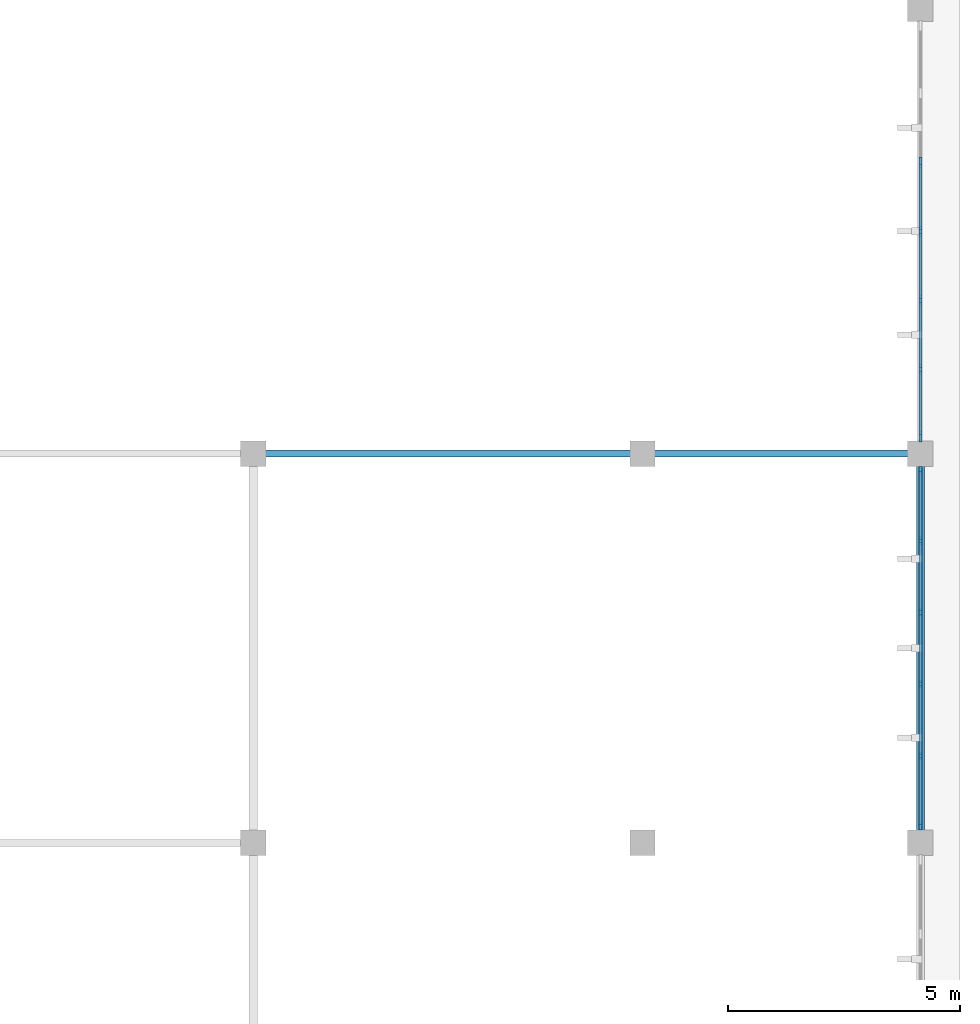
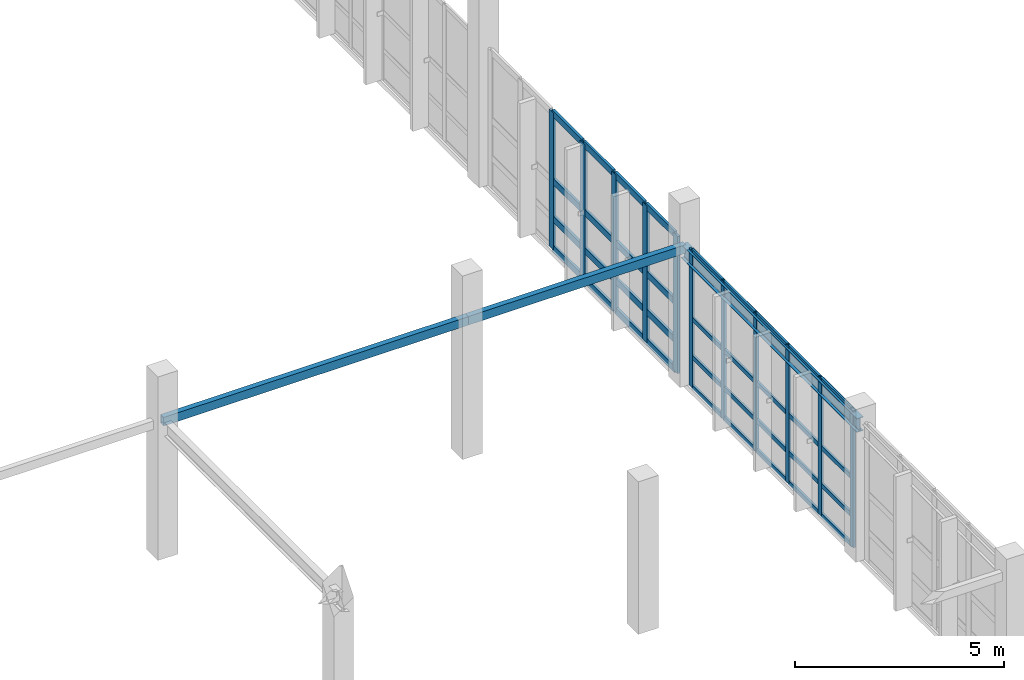
# One storey, part 29 of 67: 47 members, 3 beams, 2 elements without a shape of their own.
"""IFC4 building model written with IfcOpenShell, lengths in metres."""

from ifc_helpers import new_model, si_unit, direction, frame, origin, origin_2d, place, context, subcontext, project, spatial, rectangle, hollow_rectangle, i_section, extrude, material, material_profile, profile_set, type_object, element, aggregate, save


model = new_model("IFC4")

# Units and contexts
model_context = context("Model", 3, precision=1e-05, world=origin(), true_north=direction((0.0, 1.0)))
body_context = subcontext(model_context, "Body", "Model", "MODEL_VIEW")
ifc_project = project(units=[si_unit("LENGTHUNIT", "METRE"), si_unit("AREAUNIT", "SQUARE_METRE"), si_unit("VOLUMEUNIT", "CUBIC_METRE"), si_unit("PLANEANGLEUNIT", "RADIAN"), si_unit("MASSUNIT", "GRAM", prefix="KILO")], contexts=[model_context])

# Site, building, storey
site_placement = place(None, origin())
site = spatial("IfcSite", under=ifc_project, at=site_placement, CompositionType="ELEMENT")
building_placement = place(site_placement, origin())
building = spatial("IfcBuilding", under=site, at=building_placement, Name="Tizgana Railside Sports Hall", CompositionType="ELEMENT")
storey_placement = place(building_placement, frame((0.0, 0.0, 12.0)))
storey = spatial("IfcBuildingStorey", under=building, at=storey_placement, Name="L02", CompositionType="ELEMENT", Elevation=12.0)

# Curtain wall, members
ifc_material_1 = material(Name="Anodised aluminium and glass", Category="aluminium")
curtain_wall_type_1 = type_object("IfcCurtainWallType", Name="Unitised Curtain Wall Passage 1800", PredefinedType="NOTDEFINED", material=ifc_material_1)
curtain_wall_1_placement = place(storey_placement, origin())
curtain_wall_1 = element("IfcCurtainWall", 1, at=curtain_wall_1_placement, inside=storey, type_object=curtain_wall_type_1, Name="L02 Curtain Wall CW-0061", PredefinedType="NOTDEFINED")
ifc_material_2 = material(Name="Anodised aluminium", Category="aluminium")
ifc_material_profile_1 = material_profile(ifc_material_2, rectangle(XDim=0.06005859375, YDim=0.159912109375, at=origin_2d()), Name="Mullion 60x160")
ifc_profile_set_1 = profile_set([ifc_material_profile_1], Name="Anodised aluminium")
member_type_1 = type_object("IfcMemberType", Name="Mullion 60x160", PredefinedType="MULLION", material=ifc_profile_set_1)
member_1_placement = place(storey_placement, frame((172.199951171875, 80.760009765625, 0.0), z_axis=(0.0, 0.0, 1.0), x_axis=(-1.0, 0.0, 0.0)))
member_1 = element("IfcMember", 2, at=member_1_placement, type_object=member_type_1, Name="CW-06 mullion 1", PredefinedType="MULLION", context=body_context, shape_type="SweptSolid", body=[
    extrude(rectangle(XDim=0.06005859375, YDim=0.159912109375, at=origin_2d()), origin(), (0.0, 0.0, 1.0), 4.0),
])
member_2_placement = place(storey_placement, frame((172.199951171875, 82.278076171875, 0.0), z_axis=(0.0, 0.0, 1.0), x_axis=(-1.0, 0.0, 0.0)))
member_2 = element("IfcMember", 3, at=member_2_placement, type_object=member_type_1, Name="CW-06 mullion 2", PredefinedType="MULLION", context=body_context, shape_type="SweptSolid", body=[
    extrude(rectangle(XDim=0.06005859375, YDim=0.159912109375, at=origin_2d()), origin(), (0.0, 0.0, 1.0), 4.0),
])
member_3_placement = place(storey_placement, frame((172.199951171875, 83.825927734375, 0.0), z_axis=(0.0, 0.0, 1.0), x_axis=(-1.0, 0.0, 0.0)))
member_3 = element("IfcMember", 4, at=member_3_placement, type_object=member_type_1, Name="CW-06 mullion 3", PredefinedType="MULLION", context=body_context, shape_type="SweptSolid", body=[
    extrude(rectangle(XDim=0.06005859375, YDim=0.159912109375, at=origin_2d()), origin(), (0.0, 0.0, 1.0), 4.0),
])
member_4_placement = place(storey_placement, frame((172.199951171875, 85.3740234375, 0.0), z_axis=(0.0, 0.0, 1.0), x_axis=(-1.0, 0.0, 0.0)))
member_4 = element("IfcMember", 5, at=member_4_placement, type_object=member_type_1, Name="CW-06 mullion 4", PredefinedType="MULLION", context=body_context, shape_type="SweptSolid", body=[
    extrude(rectangle(XDim=0.06005859375, YDim=0.159912109375, at=origin_2d()), origin(), (0.0, 0.0, 1.0), 4.0),
])
member_5_placement = place(storey_placement, frame((172.199951171875, 86.922119140625, 0.0), z_axis=(0.0, 0.0, 1.0), x_axis=(-1.0, 0.0, 0.0)))
member_5 = element("IfcMember", 6, at=member_5_placement, type_object=member_type_1, Name="CW-06 mullion 5", PredefinedType="MULLION", context=body_context, shape_type="SweptSolid", body=[
    extrude(rectangle(XDim=0.06005859375, YDim=0.159912109375, at=origin_2d()), origin(), (0.0, 0.0, 1.0), 4.0),
])
member_6_placement = place(storey_placement, frame((172.199951171875, 88.43994140625, 0.0), z_axis=(0.0, 0.0, 1.0), x_axis=(-1.0, 0.0, 0.0)))
member_6 = element("IfcMember", 7, at=member_6_placement, type_object=member_type_1, Name="CW-06 mullion 6", PredefinedType="MULLION", context=body_context, shape_type="SweptSolid", body=[
    extrude(rectangle(XDim=0.06005859375, YDim=0.159912109375, at=origin_2d()), origin(), (0.0, 0.0, 1.0), 4.0),
])

curtain_wall_type_2 = type_object("IfcCurtainWallType", Name="Unitised Curtain Wall Concourse 1500", PredefinedType="NOTDEFINED", material=ifc_material_1)
curtain_wall_2_placement = place(storey_placement, origin())
curtain_wall_2 = element("IfcCurtainWall", 8, at=curtain_wall_2_placement, inside=storey, type_object=curtain_wall_type_2, Name="L02 Curtain Wall CW-0064", PredefinedType="NOTDEFINED")
ifc_material_profile_2 = material_profile(ifc_material_2, rectangle(XDim=0.070068359375, YDim=0.219970703125, at=origin_2d()), Name="Mullion 70x220")
ifc_profile_set_2 = profile_set([ifc_material_profile_2], Name="Anodised aluminium")
member_type_2 = type_object("IfcMemberType", Name="Mullion 70x220", PredefinedType="MULLION", material=ifc_profile_set_2)
member_7_placement = place(storey_placement, frame((172.199951171875, 89.1650390625, 0.0), z_axis=(0.0, 0.0, 1.0), x_axis=(-1.0, 0.0, 0.0)))
member_7 = element("IfcMember", 9, at=member_7_placement, type_object=member_type_2, Name="CW-01 mullion 1", PredefinedType="MULLION", context=body_context, shape_type="SweptSolid", body=[
    extrude(rectangle(XDim=0.070068359375, YDim=0.219970703125, at=origin_2d()), origin(), (0.0, 0.0, 1.0), 4.0),
])
member_8_placement = place(storey_placement, frame((172.199951171875, 90.6201171875, 0.0), z_axis=(0.0, 0.0, 1.0), x_axis=(-1.0, 0.0, 0.0)))
member_8 = element("IfcMember", 10, at=member_8_placement, type_object=member_type_2, Name="CW-01 mullion 2", PredefinedType="MULLION", context=body_context, shape_type="SweptSolid", body=[
    extrude(rectangle(XDim=0.070068359375, YDim=0.219970703125, at=origin_2d()), origin(), (0.0, 0.0, 1.0), 4.0),
])
member_9_placement = place(storey_placement, frame((172.199951171875, 92.110107421875, 0.0), z_axis=(0.0, 0.0, 1.0), x_axis=(-1.0, 0.0, 0.0)))
member_9 = element("IfcMember", 11, at=member_9_placement, type_object=member_type_2, Name="CW-01 mullion 3", PredefinedType="MULLION", context=body_context, shape_type="SweptSolid", body=[
    extrude(rectangle(XDim=0.070068359375, YDim=0.219970703125, at=origin_2d()), origin(), (0.0, 0.0, 1.0), 4.0),
])
member_10_placement = place(storey_placement, frame((172.199951171875, 93.60009765625, 0.0), z_axis=(0.0, 0.0, 1.0), x_axis=(-1.0, 0.0, 0.0)))
member_10 = element("IfcMember", 12, at=member_10_placement, type_object=member_type_2, Name="CW-01 mullion 4", PredefinedType="MULLION", context=body_context, shape_type="SweptSolid", body=[
    extrude(rectangle(XDim=0.070068359375, YDim=0.219970703125, at=origin_2d()), origin(), (0.0, 0.0, 1.0), 4.0),
])
member_11_placement = place(storey_placement, frame((172.199951171875, 95.090087890625, 0.0), z_axis=(0.0, 0.0, 1.0), x_axis=(-1.0, 0.0, 0.0)))
member_11 = element("IfcMember", 13, at=member_11_placement, type_object=member_type_2, Name="CW-01 mullion 5", PredefinedType="MULLION", context=body_context, shape_type="SweptSolid", body=[
    extrude(rectangle(XDim=0.070068359375, YDim=0.219970703125, at=origin_2d()), origin(), (0.0, 0.0, 1.0), 4.0),
])

# Beams
ifc_material_3 = material(Name="Steel S355J2", Category="steel")
ifc_material_profile_3 = material_profile(ifc_material_3, i_section(OverallWidth=0.179931640625, OverallDepth=0.39990234375, WebThickness=0.008544921875, FlangeThickness=0.013427734375, FilletRadius=0.02099609375, at=origin_2d()), Name="IPE 400")
ifc_profile_set_3 = profile_set([ifc_material_profile_3], Name="Steel S355J2")
beam_type_1 = type_object("IfcBeamType", Name="Steel Beam IPE 400", PredefinedType="BEAM", material=ifc_profile_set_3)
beam_1_placement = place(storey_placement, frame((172.199951171875, 80.39990234375, 3.756103515625), z_axis=(0.0, 1.0, 0.0), x_axis=(-1.0, 0.0, 0.0)))
element("IfcBeam", 14, at=beam_1_placement, inside=storey, type_object=beam_type_1, Name="L02 BEM-1172", PredefinedType="BEAM", context=body_context, shape_type="SweptSolid", body=[
    extrude(i_section(OverallWidth=0.179931640625, OverallDepth=0.39990234375, WebThickness=0.008544921875, FlangeThickness=0.013427734375, FilletRadius=0.02099609375, at=origin_2d()), origin(), (0.0, 0.0, 1.0), 8.400146484375),
])
ifc_material_profile_4 = material_profile(ifc_material_3, hollow_rectangle(XDim=0.14990234375, YDim=0.25, WallThickness=0.010009765625, at=origin_2d()), Name="RHS 250x150x10")
ifc_profile_set_4 = profile_set([ifc_material_profile_4], Name="Steel S355J2")
beam_type_2 = type_object("IfcBeamType", Name="Steel Spandrel RHS 250x150x10", PredefinedType="SPANDREL", material=ifc_profile_set_4)
beam_2_placement = place(storey_placement, frame((157.800048828125, 88.800048828125, 3.8310546875), z_axis=(1.0, 0.0, 0.0), x_axis=(0.0, 1.0, 0.0)))
element("IfcBeam", 15, at=beam_2_placement, inside=storey, type_object=beam_type_2, Name="L02 BEM-1194", PredefinedType="SPANDREL", context=body_context, shape_type="SweptSolid", body=[
    extrude(hollow_rectangle(XDim=0.14990234375, YDim=0.25, WallThickness=0.010009765625, at=origin_2d()), origin(), (0.0, 0.0, 1.0), 8.39990234375),
])
beam_3_placement = place(storey_placement, frame((166.199951171875, 88.800048828125, 3.8310546875), z_axis=(1.0, 0.0, 0.0), x_axis=(0.0, 1.0, 0.0)))
element("IfcBeam", 16, at=beam_3_placement, inside=storey, type_object=beam_type_2, Name="L02 BEM-1198", PredefinedType="SPANDREL", context=body_context, shape_type="SweptSolid", body=[
    extrude(hollow_rectangle(XDim=0.14990234375, YDim=0.25, WallThickness=0.010009765625, at=origin_2d()), origin(), (0.0, 0.0, 1.0), 6.0),
])

# Member
ifc_material_profile_5 = material_profile(ifc_material_2, rectangle(XDim=0.06005859375, YDim=0.1298828125, at=origin_2d()), Name="Transom 60x130")
ifc_profile_set_5 = profile_set([ifc_material_profile_5], Name="Anodised aluminium")
member_type_3 = type_object("IfcMemberType", Name="Transom 60x130", PredefinedType="USERDEFINED", material=ifc_profile_set_5)
member_12_placement = place(storey_placement, frame((172.199951171875, 80.7900390625, 0.030029296875), z_axis=(0.0, 1.0, 0.0), x_axis=(-1.0, 0.0, 0.0)))
member_12 = element("IfcMember", 17, at=member_12_placement, type_object=member_type_3, Name="CW-06 transom 1.1", ObjectType="TRANSOM", PredefinedType="USERDEFINED", context=body_context, shape_type="SweptSolid", body=[
    extrude(rectangle(XDim=0.06005859375, YDim=0.1298828125, at=origin_2d()), origin(), (0.0, 0.0, 1.0), 1.4580078125),
])

member_13_placement = place(storey_placement, frame((172.199951171875, 80.7900390625, 0.89990234375), z_axis=(0.0, 1.0, 0.0), x_axis=(-1.0, 0.0, 0.0)))
member_13 = element("IfcMember", 18, at=member_13_placement, type_object=member_type_3, Name="CW-06 transom 1.2", ObjectType="TRANSOM", PredefinedType="USERDEFINED", context=body_context, shape_type="SweptSolid", body=[
    extrude(rectangle(XDim=0.06005859375, YDim=0.1298828125, at=origin_2d()), origin(), (0.0, 0.0, 1.0), 1.4580078125),
])

member_14_placement = place(storey_placement, frame((172.199951171875, 80.7900390625, 2.0), z_axis=(0.0, 1.0, 0.0), x_axis=(-1.0, 0.0, 0.0)))
member_14 = element("IfcMember", 19, at=member_14_placement, type_object=member_type_3, Name="CW-06 transom 1.3", ObjectType="TRANSOM", PredefinedType="USERDEFINED", context=body_context, shape_type="SweptSolid", body=[
    extrude(rectangle(XDim=0.06005859375, YDim=0.1298828125, at=origin_2d()), origin(), (0.0, 0.0, 1.0), 1.4580078125),
])

member_15_placement = place(storey_placement, frame((172.199951171875, 80.7900390625, 3.969970703125), z_axis=(0.0, 1.0, 0.0), x_axis=(-1.0, 0.0, 0.0)))
member_15 = element("IfcMember", 20, at=member_15_placement, type_object=member_type_3, Name="CW-06 transom 1.4", ObjectType="TRANSOM", PredefinedType="USERDEFINED", context=body_context, shape_type="SweptSolid", body=[
    extrude(rectangle(XDim=0.06005859375, YDim=0.1298828125, at=origin_2d()), origin(), (0.0, 0.0, 1.0), 1.4580078125),
])

member_16_placement = place(storey_placement, frame((172.199951171875, 82.30810546875, 0.030029296875), z_axis=(0.0, 1.0, 0.0), x_axis=(-1.0, 0.0, 0.0)))
member_16 = element("IfcMember", 21, at=member_16_placement, type_object=member_type_3, Name="CW-06 transom 2.1", ObjectType="TRANSOM", PredefinedType="USERDEFINED", context=body_context, shape_type="SweptSolid", body=[
    extrude(rectangle(XDim=0.06005859375, YDim=0.1298828125, at=origin_2d()), origin(), (0.0, 0.0, 1.0), 1.48779296875),
])

member_17_placement = place(storey_placement, frame((172.199951171875, 82.30810546875, 0.89990234375), z_axis=(0.0, 1.0, 0.0), x_axis=(-1.0, 0.0, 0.0)))
member_17 = element("IfcMember", 22, at=member_17_placement, type_object=member_type_3, Name="CW-06 transom 2.2", ObjectType="TRANSOM", PredefinedType="USERDEFINED", context=body_context, shape_type="SweptSolid", body=[
    extrude(rectangle(XDim=0.06005859375, YDim=0.1298828125, at=origin_2d()), origin(), (0.0, 0.0, 1.0), 1.48779296875),
])

member_18_placement = place(storey_placement, frame((172.199951171875, 82.30810546875, 2.0), z_axis=(0.0, 1.0, 0.0), x_axis=(-1.0, 0.0, 0.0)))
member_18 = element("IfcMember", 23, at=member_18_placement, type_object=member_type_3, Name="CW-06 transom 2.3", ObjectType="TRANSOM", PredefinedType="USERDEFINED", context=body_context, shape_type="SweptSolid", body=[
    extrude(rectangle(XDim=0.06005859375, YDim=0.1298828125, at=origin_2d()), origin(), (0.0, 0.0, 1.0), 1.48779296875),
])

member_19_placement = place(storey_placement, frame((172.199951171875, 82.30810546875, 3.969970703125), z_axis=(0.0, 1.0, 0.0), x_axis=(-1.0, 0.0, 0.0)))
member_19 = element("IfcMember", 24, at=member_19_placement, type_object=member_type_3, Name="CW-06 transom 2.4", ObjectType="TRANSOM", PredefinedType="USERDEFINED", context=body_context, shape_type="SweptSolid", body=[
    extrude(rectangle(XDim=0.06005859375, YDim=0.1298828125, at=origin_2d()), origin(), (0.0, 0.0, 1.0), 1.48779296875),
])

member_20_placement = place(storey_placement, frame((172.199951171875, 83.85595703125, 0.030029296875), z_axis=(0.0, 1.0, 0.0), x_axis=(-1.0, 0.0, 0.0)))
member_20 = element("IfcMember", 25, at=member_20_placement, type_object=member_type_3, Name="CW-06 transom 3.1", ObjectType="TRANSOM", PredefinedType="USERDEFINED", context=body_context, shape_type="SweptSolid", body=[
    extrude(rectangle(XDim=0.06005859375, YDim=0.1298828125, at=origin_2d()), origin(), (0.0, 0.0, 1.0), 1.488037109375),
])

member_21_placement = place(storey_placement, frame((172.199951171875, 83.85595703125, 0.89990234375), z_axis=(0.0, 1.0, 0.0), x_axis=(-1.0, 0.0, 0.0)))
member_21 = element("IfcMember", 26, at=member_21_placement, type_object=member_type_3, Name="CW-06 transom 3.2", ObjectType="TRANSOM", PredefinedType="USERDEFINED", context=body_context, shape_type="SweptSolid", body=[
    extrude(rectangle(XDim=0.06005859375, YDim=0.1298828125, at=origin_2d()), origin(), (0.0, 0.0, 1.0), 1.488037109375),
])

member_22_placement = place(storey_placement, frame((172.199951171875, 83.85595703125, 2.0), z_axis=(0.0, 1.0, 0.0), x_axis=(-1.0, 0.0, 0.0)))
member_22 = element("IfcMember", 27, at=member_22_placement, type_object=member_type_3, Name="CW-06 transom 3.3", ObjectType="TRANSOM", PredefinedType="USERDEFINED", context=body_context, shape_type="SweptSolid", body=[
    extrude(rectangle(XDim=0.06005859375, YDim=0.1298828125, at=origin_2d()), origin(), (0.0, 0.0, 1.0), 1.488037109375),
])

member_23_placement = place(storey_placement, frame((172.199951171875, 83.85595703125, 3.969970703125), z_axis=(0.0, 1.0, 0.0), x_axis=(-1.0, 0.0, 0.0)))
member_23 = element("IfcMember", 28, at=member_23_placement, type_object=member_type_3, Name="CW-06 transom 3.4", ObjectType="TRANSOM", PredefinedType="USERDEFINED", context=body_context, shape_type="SweptSolid", body=[
    extrude(rectangle(XDim=0.06005859375, YDim=0.1298828125, at=origin_2d()), origin(), (0.0, 0.0, 1.0), 1.488037109375),
])

member_24_placement = place(storey_placement, frame((172.199951171875, 85.404052734375, 0.030029296875), z_axis=(0.0, 1.0, 0.0), x_axis=(-1.0, 0.0, 0.0)))
member_24 = element("IfcMember", 29, at=member_24_placement, type_object=member_type_3, Name="CW-06 transom 4.1", ObjectType="TRANSOM", PredefinedType="USERDEFINED", context=body_context, shape_type="SweptSolid", body=[
    extrude(rectangle(XDim=0.06005859375, YDim=0.1298828125, at=origin_2d()), origin(), (0.0, 0.0, 1.0), 1.488037109375),
])

member_25_placement = place(storey_placement, frame((172.199951171875, 85.404052734375, 0.89990234375), z_axis=(0.0, 1.0, 0.0), x_axis=(-1.0, 0.0, 0.0)))
member_25 = element("IfcMember", 30, at=member_25_placement, type_object=member_type_3, Name="CW-06 transom 4.2", ObjectType="TRANSOM", PredefinedType="USERDEFINED", context=body_context, shape_type="SweptSolid", body=[
    extrude(rectangle(XDim=0.06005859375, YDim=0.1298828125, at=origin_2d()), origin(), (0.0, 0.0, 1.0), 1.488037109375),
])

member_26_placement = place(storey_placement, frame((172.199951171875, 85.404052734375, 2.0), z_axis=(0.0, 1.0, 0.0), x_axis=(-1.0, 0.0, 0.0)))
member_26 = element("IfcMember", 31, at=member_26_placement, type_object=member_type_3, Name="CW-06 transom 4.3", ObjectType="TRANSOM", PredefinedType="USERDEFINED", context=body_context, shape_type="SweptSolid", body=[
    extrude(rectangle(XDim=0.06005859375, YDim=0.1298828125, at=origin_2d()), origin(), (0.0, 0.0, 1.0), 1.488037109375),
])

member_27_placement = place(storey_placement, frame((172.199951171875, 85.404052734375, 3.969970703125), z_axis=(0.0, 1.0, 0.0), x_axis=(-1.0, 0.0, 0.0)))
member_27 = element("IfcMember", 32, at=member_27_placement, type_object=member_type_3, Name="CW-06 transom 4.4", ObjectType="TRANSOM", PredefinedType="USERDEFINED", context=body_context, shape_type="SweptSolid", body=[
    extrude(rectangle(XDim=0.06005859375, YDim=0.1298828125, at=origin_2d()), origin(), (0.0, 0.0, 1.0), 1.488037109375),
])

member_28_placement = place(storey_placement, frame((172.199951171875, 86.951904296875, 0.030029296875), z_axis=(0.0, 1.0, 0.0), x_axis=(-1.0, 0.0, 0.0)))
member_28 = element("IfcMember", 33, at=member_28_placement, type_object=member_type_3, Name="CW-06 transom 5.1", ObjectType="TRANSOM", PredefinedType="USERDEFINED", context=body_context, shape_type="SweptSolid", body=[
    extrude(rectangle(XDim=0.06005859375, YDim=0.1298828125, at=origin_2d()), origin(), (0.0, 0.0, 1.0), 1.4580078125),
])

member_29_placement = place(storey_placement, frame((172.199951171875, 86.951904296875, 0.89990234375), z_axis=(0.0, 1.0, 0.0), x_axis=(-1.0, 0.0, 0.0)))
member_29 = element("IfcMember", 34, at=member_29_placement, type_object=member_type_3, Name="CW-06 transom 5.2", ObjectType="TRANSOM", PredefinedType="USERDEFINED", context=body_context, shape_type="SweptSolid", body=[
    extrude(rectangle(XDim=0.06005859375, YDim=0.1298828125, at=origin_2d()), origin(), (0.0, 0.0, 1.0), 1.4580078125),
])

member_30_placement = place(storey_placement, frame((172.199951171875, 86.951904296875, 2.0), z_axis=(0.0, 1.0, 0.0), x_axis=(-1.0, 0.0, 0.0)))
member_30 = element("IfcMember", 35, at=member_30_placement, type_object=member_type_3, Name="CW-06 transom 5.3", ObjectType="TRANSOM", PredefinedType="USERDEFINED", context=body_context, shape_type="SweptSolid", body=[
    extrude(rectangle(XDim=0.06005859375, YDim=0.1298828125, at=origin_2d()), origin(), (0.0, 0.0, 1.0), 1.4580078125),
])

member_31_placement = place(storey_placement, frame((172.199951171875, 86.951904296875, 3.969970703125), z_axis=(0.0, 1.0, 0.0), x_axis=(-1.0, 0.0, 0.0)))
member_31 = element("IfcMember", 36, at=member_31_placement, type_object=member_type_3, Name="CW-06 transom 5.4", ObjectType="TRANSOM", PredefinedType="USERDEFINED", context=body_context, shape_type="SweptSolid", body=[
    extrude(rectangle(XDim=0.06005859375, YDim=0.1298828125, at=origin_2d()), origin(), (0.0, 0.0, 1.0), 1.4580078125),
])

aggregate(curtain_wall_1, [member_1, member_2, member_3, member_4, member_5, member_6, member_12, member_13, member_14, member_15, member_16, member_17, member_18, member_19, member_20, member_21, member_22, member_23, member_24, member_25, member_26, member_27, member_28, member_29, member_30, member_31])

ifc_material_profile_6 = material_profile(ifc_material_2, rectangle(XDim=0.070068359375, YDim=0.18994140625, at=origin_2d()), Name="Transom 70x190")
ifc_profile_set_6 = profile_set([ifc_material_profile_6], Name="Anodised aluminium")
member_type_4 = type_object("IfcMemberType", Name="Transom 70x190", PredefinedType="USERDEFINED", material=ifc_profile_set_6)
member_32_placement = place(storey_placement, frame((172.199951171875, 89.199951171875, 0.034912109375), z_axis=(0.0, 1.0, 0.0), x_axis=(-1.0, 0.0, 0.0)))
member_32 = element("IfcMember", 37, at=member_32_placement, type_object=member_type_4, Name="CW-01 transom 1.1", ObjectType="TRANSOM", PredefinedType="USERDEFINED", context=body_context, shape_type="SweptSolid", body=[
    extrude(rectangle(XDim=0.070068359375, YDim=0.18994140625, at=origin_2d()), origin(), (0.0, 0.0, 1.0), 1.385009765625),
])

member_33_placement = place(storey_placement, frame((172.199951171875, 89.199951171875, 0.89990234375), z_axis=(0.0, 1.0, 0.0), x_axis=(-1.0, 0.0, 0.0)))
member_33 = element("IfcMember", 38, at=member_33_placement, type_object=member_type_4, Name="CW-01 transom 1.2", ObjectType="TRANSOM", PredefinedType="USERDEFINED", context=body_context, shape_type="SweptSolid", body=[
    extrude(rectangle(XDim=0.070068359375, YDim=0.18994140625, at=origin_2d()), origin(), (0.0, 0.0, 1.0), 1.385009765625),
])

member_34_placement = place(storey_placement, frame((172.199951171875, 89.199951171875, 2.0), z_axis=(0.0, 1.0, 0.0), x_axis=(-1.0, 0.0, 0.0)))
member_34 = element("IfcMember", 39, at=member_34_placement, type_object=member_type_4, Name="CW-01 transom 1.3", ObjectType="TRANSOM", PredefinedType="USERDEFINED", context=body_context, shape_type="SweptSolid", body=[
    extrude(rectangle(XDim=0.070068359375, YDim=0.18994140625, at=origin_2d()), origin(), (0.0, 0.0, 1.0), 1.385009765625),
])

member_35_placement = place(storey_placement, frame((172.199951171875, 89.199951171875, 3.965087890625), z_axis=(0.0, 1.0, 0.0), x_axis=(-1.0, 0.0, 0.0)))
member_35 = element("IfcMember", 40, at=member_35_placement, type_object=member_type_4, Name="CW-01 transom 1.4", ObjectType="TRANSOM", PredefinedType="USERDEFINED", context=body_context, shape_type="SweptSolid", body=[
    extrude(rectangle(XDim=0.070068359375, YDim=0.18994140625, at=origin_2d()), origin(), (0.0, 0.0, 1.0), 1.385009765625),
])

member_36_placement = place(storey_placement, frame((172.199951171875, 90.655029296875, 0.034912109375), z_axis=(0.0, 1.0, 0.0), x_axis=(-1.0, 0.0, 0.0)))
member_36 = element("IfcMember", 41, at=member_36_placement, type_object=member_type_4, Name="CW-01 transom 2.1", ObjectType="TRANSOM", PredefinedType="USERDEFINED", context=body_context, shape_type="SweptSolid", body=[
    extrude(rectangle(XDim=0.070068359375, YDim=0.18994140625, at=origin_2d()), origin(), (0.0, 0.0, 1.0), 1.419921875),
])

member_37_placement = place(storey_placement, frame((172.199951171875, 90.655029296875, 0.89990234375), z_axis=(0.0, 1.0, 0.0), x_axis=(-1.0, 0.0, 0.0)))
member_37 = element("IfcMember", 42, at=member_37_placement, type_object=member_type_4, Name="CW-01 transom 2.2", ObjectType="TRANSOM", PredefinedType="USERDEFINED", context=body_context, shape_type="SweptSolid", body=[
    extrude(rectangle(XDim=0.070068359375, YDim=0.18994140625, at=origin_2d()), origin(), (0.0, 0.0, 1.0), 1.419921875),
])

member_38_placement = place(storey_placement, frame((172.199951171875, 90.655029296875, 2.0), z_axis=(0.0, 1.0, 0.0), x_axis=(-1.0, 0.0, 0.0)))
member_38 = element("IfcMember", 43, at=member_38_placement, type_object=member_type_4, Name="CW-01 transom 2.3", ObjectType="TRANSOM", PredefinedType="USERDEFINED", context=body_context, shape_type="SweptSolid", body=[
    extrude(rectangle(XDim=0.070068359375, YDim=0.18994140625, at=origin_2d()), origin(), (0.0, 0.0, 1.0), 1.419921875),
])

member_39_placement = place(storey_placement, frame((172.199951171875, 90.655029296875, 3.965087890625), z_axis=(0.0, 1.0, 0.0), x_axis=(-1.0, 0.0, 0.0)))
member_39 = element("IfcMember", 44, at=member_39_placement, type_object=member_type_4, Name="CW-01 transom 2.4", ObjectType="TRANSOM", PredefinedType="USERDEFINED", context=body_context, shape_type="SweptSolid", body=[
    extrude(rectangle(XDim=0.070068359375, YDim=0.18994140625, at=origin_2d()), origin(), (0.0, 0.0, 1.0), 1.419921875),
])

member_40_placement = place(storey_placement, frame((172.199951171875, 92.14501953125, 0.034912109375), z_axis=(0.0, 1.0, 0.0), x_axis=(-1.0, 0.0, 0.0)))
member_40 = element("IfcMember", 45, at=member_40_placement, type_object=member_type_4, Name="CW-01 transom 3.1", ObjectType="TRANSOM", PredefinedType="USERDEFINED", context=body_context, shape_type="SweptSolid", body=[
    extrude(rectangle(XDim=0.070068359375, YDim=0.18994140625, at=origin_2d()), origin(), (0.0, 0.0, 1.0), 1.419921875),
])

member_41_placement = place(storey_placement, frame((172.199951171875, 92.14501953125, 0.89990234375), z_axis=(0.0, 1.0, 0.0), x_axis=(-1.0, 0.0, 0.0)))
member_41 = element("IfcMember", 46, at=member_41_placement, type_object=member_type_4, Name="CW-01 transom 3.2", ObjectType="TRANSOM", PredefinedType="USERDEFINED", context=body_context, shape_type="SweptSolid", body=[
    extrude(rectangle(XDim=0.070068359375, YDim=0.18994140625, at=origin_2d()), origin(), (0.0, 0.0, 1.0), 1.419921875),
])

member_42_placement = place(storey_placement, frame((172.199951171875, 92.14501953125, 2.0), z_axis=(0.0, 1.0, 0.0), x_axis=(-1.0, 0.0, 0.0)))
member_42 = element("IfcMember", 47, at=member_42_placement, type_object=member_type_4, Name="CW-01 transom 3.3", ObjectType="TRANSOM", PredefinedType="USERDEFINED", context=body_context, shape_type="SweptSolid", body=[
    extrude(rectangle(XDim=0.070068359375, YDim=0.18994140625, at=origin_2d()), origin(), (0.0, 0.0, 1.0), 1.419921875),
])

member_43_placement = place(storey_placement, frame((172.199951171875, 92.14501953125, 3.965087890625), z_axis=(0.0, 1.0, 0.0), x_axis=(-1.0, 0.0, 0.0)))
member_43 = element("IfcMember", 48, at=member_43_placement, type_object=member_type_4, Name="CW-01 transom 3.4", ObjectType="TRANSOM", PredefinedType="USERDEFINED", context=body_context, shape_type="SweptSolid", body=[
    extrude(rectangle(XDim=0.070068359375, YDim=0.18994140625, at=origin_2d()), origin(), (0.0, 0.0, 1.0), 1.419921875),
])

member_44_placement = place(storey_placement, frame((172.199951171875, 93.635009765625, 0.034912109375), z_axis=(0.0, 1.0, 0.0), x_axis=(-1.0, 0.0, 0.0)))
member_44 = element("IfcMember", 49, at=member_44_placement, type_object=member_type_4, Name="CW-01 transom 4.1", ObjectType="TRANSOM", PredefinedType="USERDEFINED", context=body_context, shape_type="SweptSolid", body=[
    extrude(rectangle(XDim=0.070068359375, YDim=0.18994140625, at=origin_2d()), origin(), (0.0, 0.0, 1.0), 1.419921875),
])

member_45_placement = place(storey_placement, frame((172.199951171875, 93.635009765625, 0.89990234375), z_axis=(0.0, 1.0, 0.0), x_axis=(-1.0, 0.0, 0.0)))
member_45 = element("IfcMember", 50, at=member_45_placement, type_object=member_type_4, Name="CW-01 transom 4.2", ObjectType="TRANSOM", PredefinedType="USERDEFINED", context=body_context, shape_type="SweptSolid", body=[
    extrude(rectangle(XDim=0.070068359375, YDim=0.18994140625, at=origin_2d()), origin(), (0.0, 0.0, 1.0), 1.419921875),
])

member_46_placement = place(storey_placement, frame((172.199951171875, 93.635009765625, 2.0), z_axis=(0.0, 1.0, 0.0), x_axis=(-1.0, 0.0, 0.0)))
member_46 = element("IfcMember", 51, at=member_46_placement, type_object=member_type_4, Name="CW-01 transom 4.3", ObjectType="TRANSOM", PredefinedType="USERDEFINED", context=body_context, shape_type="SweptSolid", body=[
    extrude(rectangle(XDim=0.070068359375, YDim=0.18994140625, at=origin_2d()), origin(), (0.0, 0.0, 1.0), 1.419921875),
])

member_47_placement = place(storey_placement, frame((172.199951171875, 93.635009765625, 3.965087890625), z_axis=(0.0, 1.0, 0.0), x_axis=(-1.0, 0.0, 0.0)))
member_47 = element("IfcMember", 52, at=member_47_placement, type_object=member_type_4, Name="CW-01 transom 4.4", ObjectType="TRANSOM", PredefinedType="USERDEFINED", context=body_context, shape_type="SweptSolid", body=[
    extrude(rectangle(XDim=0.070068359375, YDim=0.18994140625, at=origin_2d()), origin(), (0.0, 0.0, 1.0), 1.419921875),
])

aggregate(curtain_wall_2, [member_7, member_8, member_9, member_10, member_11, member_32, member_33, member_34, member_35, member_36, member_37, member_38, member_39, member_40, member_41, member_42, member_43, member_44, member_45, member_46, member_47])

save(model, "model.ifc")
